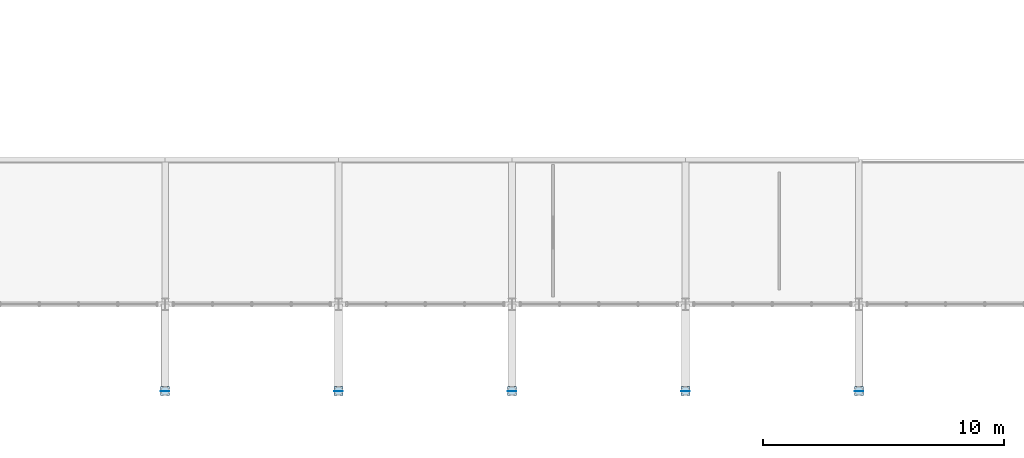
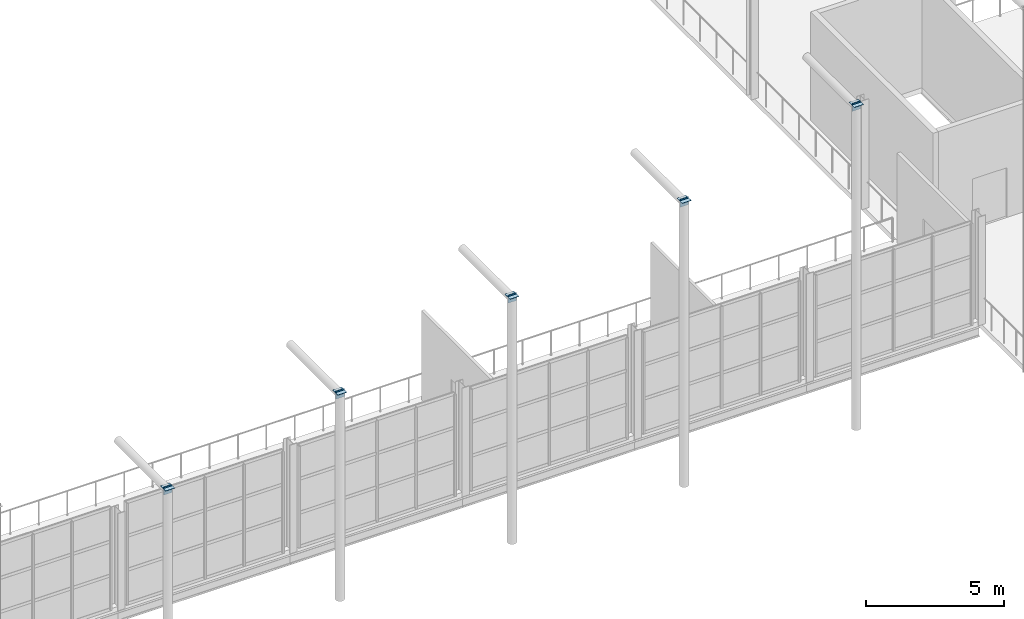
# One storey, part 119 of 143: 10 plates.
"""IFC4 building model written with IfcOpenShell, lengths in metres."""

from ifc_helpers import new_model, si_unit, derived_unit, direction, frame, origin, origin_2d, place, context, subcontext, project, spatial, rectangle, extrude, material, layer, layer_set, type_object, element, save


model = new_model("IFC4")

# Units and contexts
model_context = context("Model", 3, precision=1e-05, world=origin(), true_north=direction((0.0, 1.0)))
body_context = subcontext(model_context, "Body", "Model", "MODEL_VIEW")
ifc_project = project(units=[si_unit("LENGTHUNIT", "METRE"), si_unit("AREAUNIT", "SQUARE_METRE"), si_unit("VOLUMEUNIT", "CUBIC_METRE"), si_unit("PLANEANGLEUNIT", "RADIAN"), si_unit("MASSUNIT", "GRAM", prefix="KILO"), derived_unit("THERMALTRANSMITTANCEUNIT", [(si_unit("POWERUNIT", "WATT"), 1), (si_unit("LENGTHUNIT", "METRE"), -2), (si_unit("THERMODYNAMICTEMPERATUREUNIT", "KELVIN"), -1)])], contexts=[model_context])

# Site, building, storey
site_placement = place(None, origin())
site = spatial("IfcSite", under=ifc_project, at=site_placement, CompositionType="ELEMENT")
building_placement = place(site_placement, origin())
building = spatial("IfcBuilding", under=site, at=building_placement, Name="Keldorne Ridge Multi-Sports Centre", CompositionType="ELEMENT")
storey_placement = place(building_placement, frame((0.0, 0.0, 4.800048828125)))
storey = spatial("IfcBuildingStorey", under=building, at=storey_placement, Name="L01", CompositionType="ELEMENT", Elevation=4.800048828125)

# Plates
ifc_material = material(Name="Steel S355", Category="steel")
ifc_layer = layer(ifc_material, 0.01611328125)
ifc_layer_set = layer_set([ifc_layer], Name="Steel S355")
plate_type = type_object("IfcPlateType", Name="PLT-PL-EC1", PredefinedType="USERDEFINED", material=ifc_layer_set)
for number, where, z_axis, x_axis, name in (
    (1, (42.0, 6.0, 7.449951171875), (0.0, 0.0, 1.0), (1.0, 0.0, 0.0), "Colonnade CHS top cap plate V1-COLN-06"),
    (2, (49.199951171875, 6.0, 9.169921875), (0.0, 0.0, 1.0), (1.0, 0.0, 0.0), "Colonnade CHS top cap plate V1-COLN-07"),
    (3, (56.39990234375, 6.0, 10.889892578125), (0.0, 0.0, 1.0), (1.0, 0.0, 0.0), "Colonnade CHS top cap plate V1-COLN-08"),
    (4, (63.60009765625, 6.0, 12.60986328125), (0.0, 0.0, 1.0), (1.0, 0.0, 0.0), "Colonnade CHS top cap plate V1-COLN-09"),
    (5, (70.800048828125, 6.0, 14.329833984375), (0.0, 0.0, 1.0), (1.0, 0.0, 0.0), "Colonnade CHS top cap plate V1-COLN-10"),
):
    element("IfcPlate", number, at=place(storey_placement, frame(where, z_axis=z_axis, x_axis=x_axis)), inside=storey, type_object=plate_type, Name=name, ObjectType="GUSSET PLATE", PredefinedType="USERDEFINED", context=body_context, shape_type="SweptSolid", body=[
        extrude(rectangle(XDim=0.3798828125, YDim=0.3798828125, at=origin_2d()), origin(), (0.0, 0.0, 1.0), 0.01611328125),
    ])
for number, where, z_axis, x_axis, name in (
    (6, (42.0, 5.989990234375, 7.1748046875), (0.0, 0.0, 1.0), (1.0, 0.0, 0.0), "Colonnade rafter end cap 06"),
    (7, (49.199951171875, 5.989990234375, 8.89501953125), (0.0, 0.0, 1.0), (1.0, 0.0, 0.0), "Colonnade rafter end cap 07"),
    (8, (56.39990234375, 5.989990234375, 10.614990234375), (0.0, 0.0, 1.0), (1.0, 0.0, 0.0), "Colonnade rafter end cap 08"),
    (9, (63.60009765625, 5.989990234375, 12.3349609375), (0.0, 0.0, 1.0), (1.0, 0.0, 0.0), "Colonnade rafter end cap 09"),
    (10, (70.800048828125, 5.989990234375, 14.054931640625), (0.0, 0.0, 1.0), (1.0, 0.0, 0.0), "Colonnade rafter end cap 10"),
):
    element("IfcPlate", number, at=place(storey_placement, frame(where, z_axis=z_axis, x_axis=x_axis)), inside=storey, type_object=plate_type, Name=name, ObjectType="GUSSET PLATE", PredefinedType="USERDEFINED", context=body_context, shape_type="SweptSolid", body=[
        extrude(rectangle(XDim=0.35009765625, YDim=0.01611328125, at=origin_2d()), origin(), (0.0, 0.0, 1.0), 0.35009765625),
    ])

save(model, "model.ifc")
